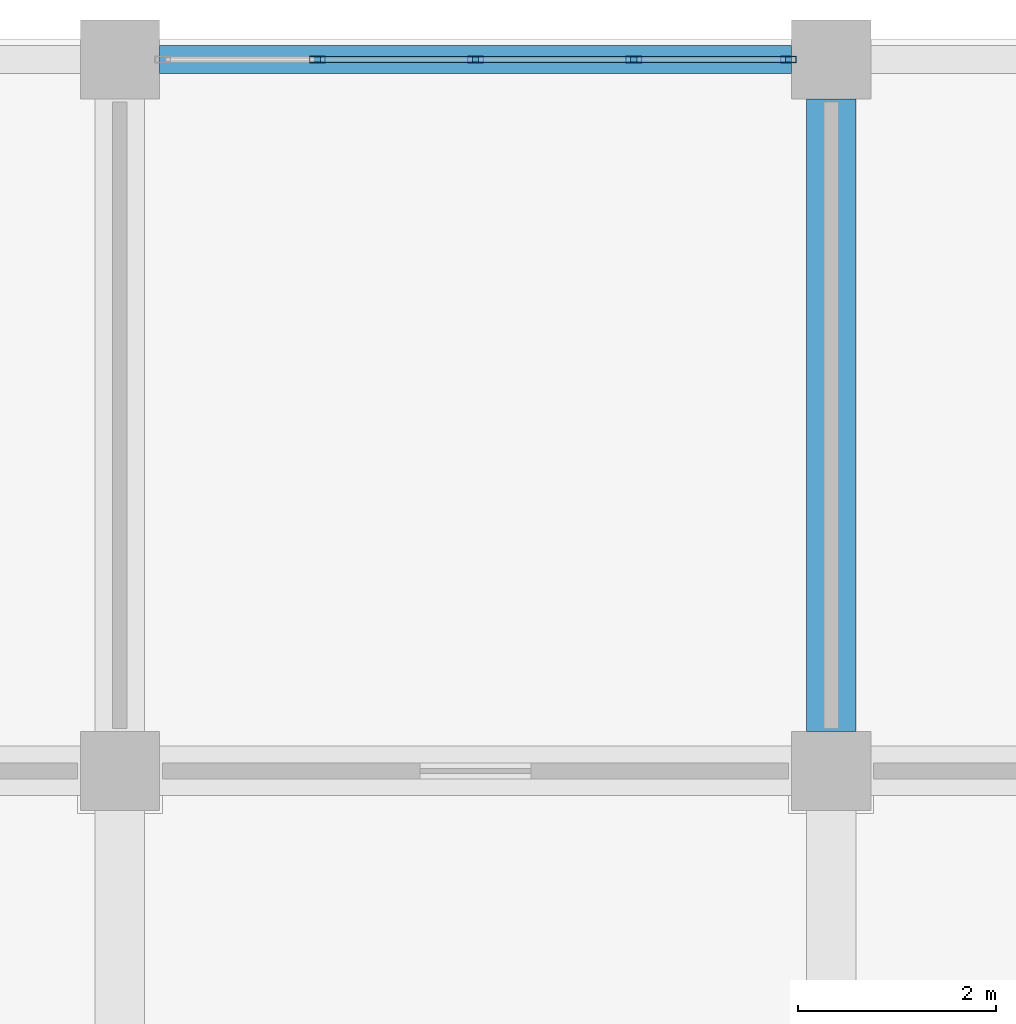
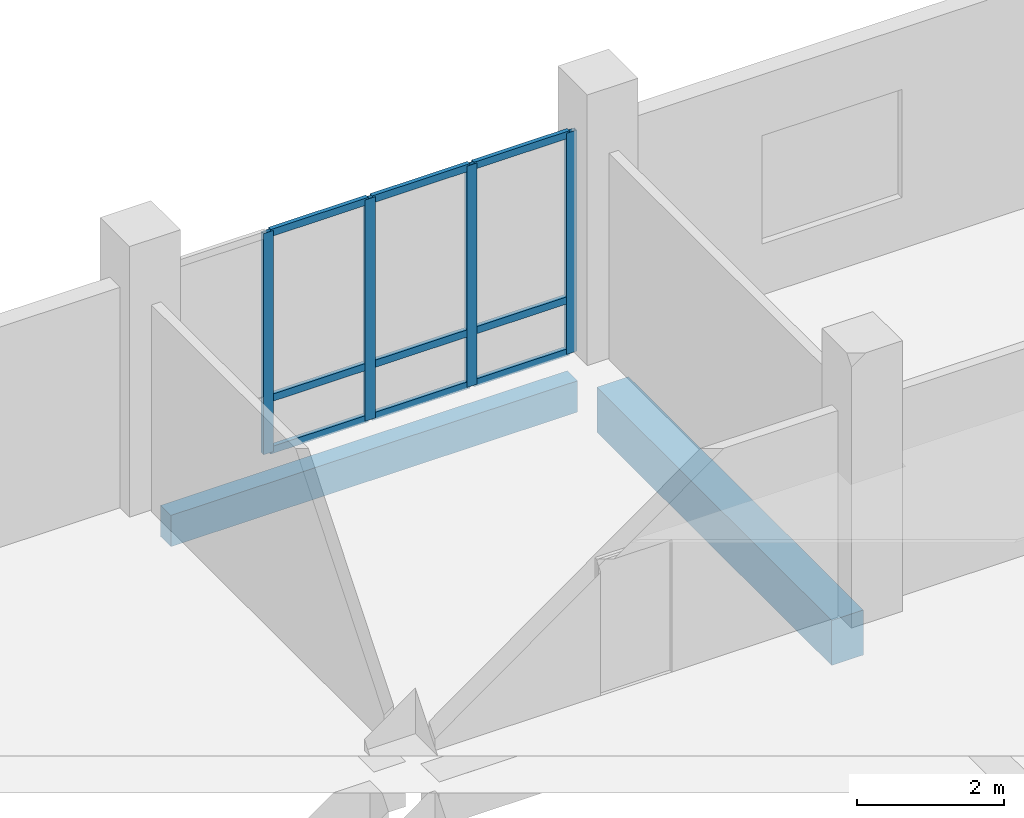
# One storey, part 53 of 139: 13 members, 2 beams, 1 element without a shape of its own.
"""IFC4 building model written with IfcOpenShell, lengths in metres."""

from ifc_helpers import new_model, si_unit, direction, frame, origin, origin_2d, place, context, subcontext, project, spatial, rectangle, hollow_rectangle, extrude, material, material_profile, profile_set, type_object, element, aggregate, save


model = new_model("IFC4")

# Units and contexts
model_context = context("Model", 3, precision=1e-05, world=origin(), true_north=direction((0.0, 1.0)))
body_context = subcontext(model_context, "Body", "Model", "MODEL_VIEW")
ifc_project = project(units=[si_unit("LENGTHUNIT", "METRE"), si_unit("AREAUNIT", "SQUARE_METRE"), si_unit("VOLUMEUNIT", "CUBIC_METRE"), si_unit("PLANEANGLEUNIT", "RADIAN"), si_unit("MASSUNIT", "GRAM", prefix="KILO")], contexts=[model_context])

# Site, building, storey
site_placement = place(None, origin())
site = spatial("IfcSite", under=ifc_project, at=site_placement, CompositionType="ELEMENT")
building_placement = place(site_placement, origin())
building = spatial("IfcBuilding", under=site, at=building_placement, Name="Suanplinth Sawtooth Commons", CompositionType="ELEMENT")
storey_placement = place(building_placement, origin())
storey = spatial("IfcBuildingStorey", under=building, at=storey_placement, Name="L00", CompositionType="ELEMENT", Elevation=0.0)

# Beams
ifc_material_1 = material(Name="Concrete C40/50", Category="concrete")
ifc_material_profile_1 = material_profile(ifc_material_1, rectangle(XDim=0.5, YDim=0.75, at=origin_2d()), Name="RC-GDR 500x750")
ifc_profile_set_1 = profile_set([ifc_material_profile_1], Name="Concrete C40/50")
beam_type_1 = type_object("IfcBeamType", Name="B-03", PredefinedType="USERDEFINED", material=ifc_profile_set_1)
beam_1_placement = place(storey_placement, frame((36.0, 115.60009765625, -0.784912109375), z_axis=(0.0, 1.0, 0.0), x_axis=(-1.0, 0.0, 0.0)))
element("IfcBeam", 1, at=beam_1_placement, inside=storey, type_object=beam_type_1, Name="BMY-L00-A-5-16", ObjectType="GIRDER", PredefinedType="USERDEFINED", context=body_context, shape_type="SweptSolid", body=[
    extrude(rectangle(XDim=0.5, YDim=0.75, at=origin_2d()), origin(), (0.0, 0.0, 1.0), 6.39990234375),
])
ifc_material_2 = material(Name="Precast concrete C40/50", Category="concrete")
ifc_material_profile_2 = material_profile(ifc_material_2, rectangle(XDim=0.280029296875, YDim=0.52001953125, at=origin_2d()), Name="PC-SP 280x520")
ifc_profile_set_2 = profile_set([ifc_material_profile_2], Name="Precast concrete C40/50")
beam_type_2 = type_object("IfcBeamType", Name="B-08", PredefinedType="SPANDREL", material=ifc_profile_set_2)
beam_2_placement = place(storey_placement, frame((29.199951171875, 122.39990234375, -0.669921875), z_axis=(1.0, 0.0, 0.0), x_axis=(0.0, 1.0, 0.0)))
element("IfcBeam", 2, at=beam_2_placement, inside=storey, type_object=beam_type_2, Name="BMX-L00-A-4-17", PredefinedType="SPANDREL", context=body_context, shape_type="SweptSolid", body=[
    extrude(rectangle(XDim=0.280029296875, YDim=0.52001953125, at=origin_2d()), origin(), (0.0, 0.0, 1.0), 6.400146484375),
])

# Curtain wall, members
ifc_material_3 = material(Name="Anodized aluminium and low-E glazing", Category="aluminium")
curtain_wall_type = type_object("IfcCurtainWallType", Name="CW-04", PredefinedType="USERDEFINED", material=ifc_material_3)
curtain_wall_placement = place(storey_placement, origin())
curtain_wall = element("IfcCurtainWall", 3, at=curtain_wall_placement, inside=storey, type_object=curtain_wall_type, Name="Curtain Wall CW-L00-A-N-4", ObjectType="CURTAIN WALL", PredefinedType="USERDEFINED")
ifc_material_4 = material(Name="Anodized aluminium 6063-T6", Category="aluminium")
ifc_material_profile_3 = material_profile(ifc_material_4, hollow_rectangle(XDim=0.06494140625, YDim=0.159912109375, WallThickness=0.00390625, at=origin_2d()), Name="ALU-MUL 65x160")
ifc_profile_set_3 = profile_set([ifc_material_profile_3], Name="Anodized aluminium 6063-T6")
member_type_1 = type_object("IfcMemberType", Name="M-13", PredefinedType="MULLION", material=ifc_profile_set_3)
member_1_placement = place(storey_placement, frame((30.800048828125, 122.39990234375, 0.0), z_axis=(0.0, 0.0, 1.0), x_axis=(0.0, 1.0, 0.0)))
member_1 = element("IfcMember", 4, at=member_1_placement, type_object=member_type_1, Name="CW-04 mullion 2", PredefinedType="MULLION", context=body_context, shape_type="SweptSolid", body=[
    extrude(hollow_rectangle(XDim=0.06494140625, YDim=0.159912109375, WallThickness=0.00390625, at=origin_2d()), origin(), (0.0, 0.0, 1.0), 3.679931640625),
])
member_2_placement = place(storey_placement, frame((32.39990234375, 122.39990234375, 0.0), z_axis=(0.0, 0.0, 1.0), x_axis=(0.0, 1.0, 0.0)))
member_2 = element("IfcMember", 5, at=member_2_placement, type_object=member_type_1, Name="CW-04 mullion 3", PredefinedType="MULLION", context=body_context, shape_type="SweptSolid", body=[
    extrude(hollow_rectangle(XDim=0.06494140625, YDim=0.159912109375, WallThickness=0.00390625, at=origin_2d()), origin(), (0.0, 0.0, 1.0), 3.679931640625),
])
member_3_placement = place(storey_placement, frame((34.0, 122.39990234375, 0.0), z_axis=(0.0, 0.0, 1.0), x_axis=(0.0, 1.0, 0.0)))
member_3 = element("IfcMember", 6, at=member_3_placement, type_object=member_type_1, Name="CW-04 mullion 4", PredefinedType="MULLION", context=body_context, shape_type="SweptSolid", body=[
    extrude(hollow_rectangle(XDim=0.06494140625, YDim=0.159912109375, WallThickness=0.00390625, at=origin_2d()), origin(), (0.0, 0.0, 1.0), 3.679931640625),
])
member_4_placement = place(storey_placement, frame((35.5673828125, 122.39990234375, 0.0), z_axis=(0.0, 0.0, 1.0), x_axis=(0.0, 1.0, 0.0)))
member_4 = element("IfcMember", 7, at=member_4_placement, type_object=member_type_1, Name="CW-04 mullion 5", PredefinedType="MULLION", context=body_context, shape_type="SweptSolid", body=[
    extrude(hollow_rectangle(XDim=0.06494140625, YDim=0.159912109375, WallThickness=0.00390625, at=origin_2d()), origin(), (0.0, 0.0, 1.0), 3.679931640625),
])
ifc_material_profile_4 = material_profile(ifc_material_4, hollow_rectangle(XDim=0.06494140625, YDim=0.1201171875, WallThickness=0.00390625, at=origin_2d()), Name="ALU-TRN 65x120")
ifc_profile_set_4 = profile_set([ifc_material_profile_4], Name="Anodized aluminium 6063-T6")
member_type_2 = type_object("IfcMemberType", Name="M-15", PredefinedType="USERDEFINED", material=ifc_profile_set_4)
member_5_placement = place(storey_placement, frame((30.83251953125, 122.39990234375, 0.032470703125), z_axis=(1.0, 0.0, 0.0), x_axis=(0.0, 1.0, 0.0)))
member_5 = element("IfcMember", 8, at=member_5_placement, type_object=member_type_2, Name="CW-04 transom 2.1", ObjectType="TRANSOM", PredefinedType="USERDEFINED", context=body_context, shape_type="SweptSolid", body=[
    extrude(hollow_rectangle(XDim=0.06494140625, YDim=0.1201171875, WallThickness=0.00390625, at=origin_2d()), origin(), (0.0, 0.0, 1.0), 1.534912109375),
])
member_6_placement = place(storey_placement, frame((30.83251953125, 122.39990234375, 0.89990234375), z_axis=(1.0, 0.0, 0.0), x_axis=(0.0, 1.0, 0.0)))
member_6 = element("IfcMember", 9, at=member_6_placement, type_object=member_type_2, Name="CW-04 transom 2.2", ObjectType="TRANSOM", PredefinedType="USERDEFINED", context=body_context, shape_type="SweptSolid", body=[
    extrude(hollow_rectangle(XDim=0.06494140625, YDim=0.1201171875, WallThickness=0.00390625, at=origin_2d()), origin(), (0.0, 0.0, 1.0), 1.534912109375),
])
member_7_placement = place(storey_placement, frame((30.83251953125, 122.39990234375, 3.6474609375), z_axis=(1.0, 0.0, 0.0), x_axis=(0.0, 1.0, 0.0)))
member_7 = element("IfcMember", 10, at=member_7_placement, type_object=member_type_2, Name="CW-04 transom 2.3", ObjectType="TRANSOM", PredefinedType="USERDEFINED", context=body_context, shape_type="SweptSolid", body=[
    extrude(hollow_rectangle(XDim=0.06494140625, YDim=0.1201171875, WallThickness=0.00390625, at=origin_2d()), origin(), (0.0, 0.0, 1.0), 1.534912109375),
])
member_8_placement = place(storey_placement, frame((32.4326171875, 122.39990234375, 0.032470703125), z_axis=(1.0, 0.0, 0.0), x_axis=(0.0, 1.0, 0.0)))
member_8 = element("IfcMember", 11, at=member_8_placement, type_object=member_type_2, Name="CW-04 transom 3.1", ObjectType="TRANSOM", PredefinedType="USERDEFINED", context=body_context, shape_type="SweptSolid", body=[
    extrude(hollow_rectangle(XDim=0.06494140625, YDim=0.1201171875, WallThickness=0.00390625, at=origin_2d()), origin(), (0.0, 0.0, 1.0), 1.534912109375),
])
member_9_placement = place(storey_placement, frame((32.4326171875, 122.39990234375, 0.89990234375), z_axis=(1.0, 0.0, 0.0), x_axis=(0.0, 1.0, 0.0)))
member_9 = element("IfcMember", 12, at=member_9_placement, type_object=member_type_2, Name="CW-04 transom 3.2", ObjectType="TRANSOM", PredefinedType="USERDEFINED", context=body_context, shape_type="SweptSolid", body=[
    extrude(hollow_rectangle(XDim=0.06494140625, YDim=0.1201171875, WallThickness=0.00390625, at=origin_2d()), origin(), (0.0, 0.0, 1.0), 1.534912109375),
])
member_10_placement = place(storey_placement, frame((32.4326171875, 122.39990234375, 3.6474609375), z_axis=(1.0, 0.0, 0.0), x_axis=(0.0, 1.0, 0.0)))
member_10 = element("IfcMember", 13, at=member_10_placement, type_object=member_type_2, Name="CW-04 transom 3.3", ObjectType="TRANSOM", PredefinedType="USERDEFINED", context=body_context, shape_type="SweptSolid", body=[
    extrude(hollow_rectangle(XDim=0.06494140625, YDim=0.1201171875, WallThickness=0.00390625, at=origin_2d()), origin(), (0.0, 0.0, 1.0), 1.534912109375),
])
member_11_placement = place(storey_placement, frame((34.032470703125, 122.39990234375, 0.032470703125), z_axis=(1.0, 0.0, 0.0), x_axis=(0.0, 1.0, 0.0)))
member_11 = element("IfcMember", 14, at=member_11_placement, type_object=member_type_2, Name="CW-04 transom 4.1", ObjectType="TRANSOM", PredefinedType="USERDEFINED", context=body_context, shape_type="SweptSolid", body=[
    extrude(hollow_rectangle(XDim=0.06494140625, YDim=0.1201171875, WallThickness=0.00390625, at=origin_2d()), origin(), (0.0, 0.0, 1.0), 1.50244140625),
])
member_12_placement = place(storey_placement, frame((34.032470703125, 122.39990234375, 0.89990234375), z_axis=(1.0, 0.0, 0.0), x_axis=(0.0, 1.0, 0.0)))
member_12 = element("IfcMember", 15, at=member_12_placement, type_object=member_type_2, Name="CW-04 transom 4.2", ObjectType="TRANSOM", PredefinedType="USERDEFINED", context=body_context, shape_type="SweptSolid", body=[
    extrude(hollow_rectangle(XDim=0.06494140625, YDim=0.1201171875, WallThickness=0.00390625, at=origin_2d()), origin(), (0.0, 0.0, 1.0), 1.50244140625),
])
member_13_placement = place(storey_placement, frame((34.032470703125, 122.39990234375, 3.6474609375), z_axis=(1.0, 0.0, 0.0), x_axis=(0.0, 1.0, 0.0)))
member_13 = element("IfcMember", 16, at=member_13_placement, type_object=member_type_2, Name="CW-04 transom 4.3", ObjectType="TRANSOM", PredefinedType="USERDEFINED", context=body_context, shape_type="SweptSolid", body=[
    extrude(hollow_rectangle(XDim=0.06494140625, YDim=0.1201171875, WallThickness=0.00390625, at=origin_2d()), origin(), (0.0, 0.0, 1.0), 1.50244140625),
])
aggregate(curtain_wall, [member_1, member_2, member_3, member_4, member_5, member_6, member_7, member_8, member_9, member_10, member_11, member_12, member_13])

save(model, "model.ifc")
